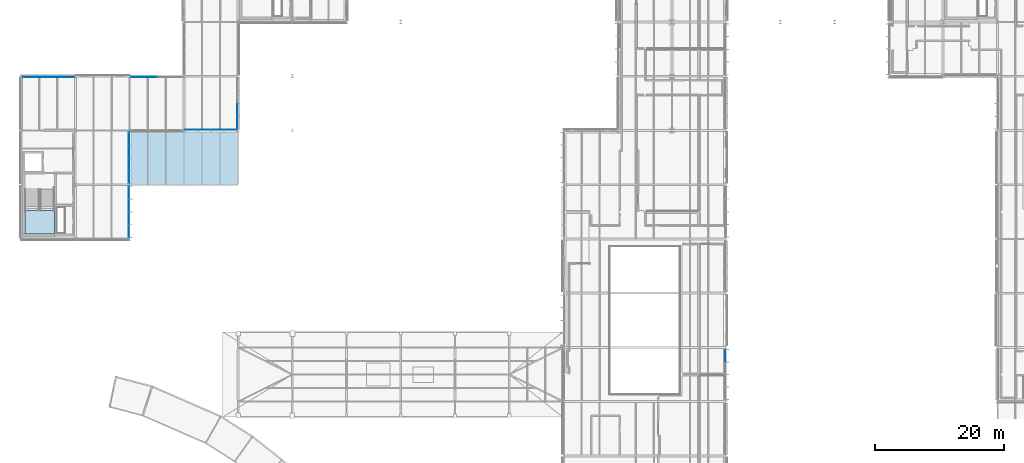
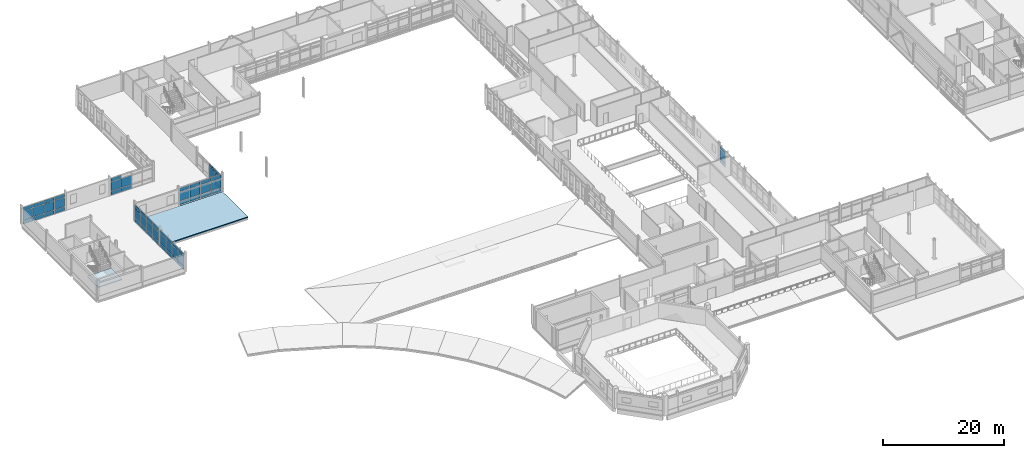
# One storey, part 110 of 151: 62 plates, 2 slabs, 8 elements without a shape of their own.
"""IFC4 building model written with IfcOpenShell, lengths in metres."""

import ifcopenshell
import ifcopenshell.guid

model = None  # the IFC model being written
_history = None  # IfcOwnerHistory: only IFC2X3 demands one
_inside = {}  # id of a spatial element -> (the spatial element, [elements in it])
_under = {}  # id of a project, library or spatial element -> (it, [spatial elements below it])
_declared = {}  # id of a project -> (the project, [libraries it declares])
_typed = {}  # id of a type object -> (the type object, [elements of that type])
_made_of = {}  # id of a material, layer set ... -> (it, [elements and type objects made of it])


def new_model(schema):
    """Start an empty IFC model of exactly this schema.

    Asked for "IFC4X3", IfcOpenShell would pick the latest addendum, in which some entities
    have other attributes; the version numbers below select the first issue.
    IFC2X3 requires an IfcOwnerHistory on every rooted entity: one is made here for all.
    """
    global model, _history
    if schema == "IFC4X3":
        model = ifcopenshell.file(schema_version=(4, 3, 0, 0))
    else:
        model = ifcopenshell.file(schema=schema)
    _inside.clear()
    _under.clear()
    _declared.clear()
    _typed.clear()
    _made_of.clear()
    _history = None
    if model.schema == "IFC2X3":
        org = make("IfcOrganization", Name="unknown")
        user = make(
            "IfcPersonAndOrganization",
            ThePerson=make("IfcPerson", FamilyName="unknown"),
            TheOrganization=org,
        )
        app = make(
            "IfcApplication",
            ApplicationDeveloper=org,
            Version="unknown",
            ApplicationFullName="unknown",
            ApplicationIdentifier="unknown",
        )
        _history = make(
            "IfcOwnerHistory",
            OwningUser=user,
            OwningApplication=app,
            ChangeAction="ADDED",
            CreationDate=0,
        )
    return model


def make(cls, **values):
    """One entity of the class cls with the attributes given. An attribute that is None is left unset."""
    return model.create_entity(
        cls, **{name: value for name, value in values.items() if value is not None}
    )


def rooted(cls, **values):
    """An entity with a GlobalId (a new one), such as an element, a storey or a relation."""
    return make(cls, GlobalId=ifcopenshell.guid.new(), OwnerHistory=_history, **values)


def si_unit(unit_type, name, prefix=None):
    """IfcSIUnit, for example si_unit("LENGTHUNIT", "METRE", prefix="MILLI")."""
    return make("IfcSIUnit", UnitType=unit_type, Prefix=prefix, Name=name)


def assignment(units):
    """IfcUnitAssignment: the units of a project."""
    return None if units is None else make("IfcUnitAssignment", Units=units)


def point(xyz):
    """IfcCartesianPoint."""
    return None if xyz is None else make("IfcCartesianPoint", Coordinates=xyz)


def direction(xyz):
    """IfcDirection."""
    return None if xyz is None else make("IfcDirection", DirectionRatios=xyz)


def frame(location, z_axis=None, x_axis=None):
    """IfcAxis2Placement3D, a coordinate frame: its origin and axes. An axis left out is left unset."""
    return make(
        "IfcAxis2Placement3D",
        Location=point(location),
        Axis=direction(z_axis),
        RefDirection=direction(x_axis),
    )


def frame_2d(location, x_axis=None):
    """IfcAxis2Placement2D, a coordinate frame in the plane: its origin and x axis."""
    return make(
        "IfcAxis2Placement2D", Location=point(location), RefDirection=direction(x_axis)
    )


def origin():
    """The frame at (0, 0, 0) with its axes left unset."""
    return frame((0.0, 0.0, 0.0))


def origin_2d():
    """The frame at (0, 0) in the plane with its x axis left unset."""
    return frame_2d((0.0, 0.0))


def place(relative_to, where):
    """IfcLocalPlacement: puts the frame where relative to a parent placement (None: the world)."""
    return make(
        "IfcLocalPlacement", PlacementRelTo=relative_to, RelativePlacement=where
    )


def context(
    kind, dimensions, precision=None, world=None, true_north=None, identifier=None
):
    """IfcGeometricRepresentationContext, for example the 3D "Model" context."""
    return make(
        "IfcGeometricRepresentationContext",
        ContextIdentifier=identifier,
        ContextType=kind,
        CoordinateSpaceDimension=dimensions,
        Precision=precision,
        WorldCoordinateSystem=world,
        TrueNorth=true_north,
    )


def subcontext(parent, identifier, kind, view, scale=None):
    """IfcGeometricRepresentationSubContext, for example "Body" below "Model"."""
    return make(
        "IfcGeometricRepresentationSubContext",
        ContextIdentifier=identifier,
        ContextType=kind,
        ParentContext=parent,
        TargetScale=scale,
        TargetView=view,
    )


def project(units=None, contexts=None):
    """IfcProject with its units and contexts."""
    return rooted(
        "IfcProject",
        Name="project",
        RepresentationContexts=contexts,
        UnitsInContext=assignment(units),
    )


def spatial(cls, under=None, at=None, **own):
    """A site, building, storey or space (cls), placed at a placement, below another one or the project."""
    s = rooted(cls, ObjectPlacement=at, **own)
    if under is not None:
        _under.setdefault(under.id(), (under, []))[1].append(s)
    return s


def polyline(points):
    """IfcPolyline through the points."""
    return make("IfcPolyline", Points=[point(p) for p in points])


def profile(cls, at=None, kind="AREA", **sizes):
    """A parametric profile (cls). Its sizes go by their IFC names, for example OverallWidth=200.0."""
    return make(cls, ProfileType=kind, Position=at, **sizes)


def rectangle(**sizes):
    """IfcRectangleProfileDef."""
    return profile("IfcRectangleProfileDef", **sizes)


def outline(outer, holes=None, kind="AREA"):
    """IfcArbitraryClosedProfileDef: a profile drawn as a closed curve; with holes, ...WithVoids."""
    if holes is None:
        return make("IfcArbitraryClosedProfileDef", ProfileType=kind, OuterCurve=outer)
    return make(
        "IfcArbitraryProfileDefWithVoids",
        ProfileType=kind,
        OuterCurve=outer,
        InnerCurves=holes,
    )


def extrude(swept, where, along, depth):
    """IfcExtrudedAreaSolid: the profile swept, set in the frame where, extruded along a direction by depth."""
    return make(
        "IfcExtrudedAreaSolid",
        SweptArea=swept,
        Position=where,
        ExtrudedDirection=direction(along),
        Depth=depth,
    )


def shape(context_of_items, identifier, shape_type, items):
    """IfcShapeRepresentation: the items that make up one representation, for example the "Body"."""
    return make(
        "IfcShapeRepresentation",
        ContextOfItems=context_of_items,
        RepresentationIdentifier=identifier,
        RepresentationType=shape_type,
        Items=items,
    )


def material(Name=None, Category=None):
    """IfcMaterial."""
    return make("IfcMaterial", Name=Name, Category=Category)


def layer(
    of_material, thickness, ventilated=None, Name=None, Category=None, Priority=None
):
    """IfcMaterialLayer: one layer of a wall or slab, of a material (None: an air gap)."""
    return make(
        "IfcMaterialLayer",
        Material=of_material,
        LayerThickness=thickness,
        IsVentilated=ventilated,
        Name=Name,
        Category=Category,
        Priority=Priority,
    )


def layer_set(layers, Name=None):
    """IfcMaterialLayerSet."""
    return make("IfcMaterialLayerSet", MaterialLayers=layers, LayerSetName=Name)


def made_of(thing, what):
    """Note that an element or type object is made of a material, layer set ...; save() writes the relation."""
    if what is not None:
        _made_of.setdefault(what.id(), (what, []))[1].append(thing)
    return thing


def type_object(cls, material=None, **own):
    """A type object (cls), such as IfcWallType, which elements share."""
    return made_of(rooted(cls, **own), material)


def element(
    cls,
    number,
    at=None,
    inside=None,
    cuts=None,
    type_object=None,
    material=None,
    context=None,
    identifier="Body",
    shape_type=None,
    held_by="IfcProductDefinitionShape",
    body=None,
    shapes=None,
    **own,
):
    """One element of the class cls, such as IfcWall. Its Tag is "e" and its number.

    at: its placement. inside: the storey or other place that contains it. cuts: it is an
    opening in that element (IfcRelVoidsElement). A single representation is given by context,
    identifier, shape_type and body (its items); several are given by shapes. held_by: the class
    of the entity that holds the representations. save() writes the other relations.
    """
    e = rooted(cls, Tag="e%d" % number, ObjectPlacement=at, **own)
    if body is not None:
        shapes = [shape(context, identifier, shape_type, body)]
    if shapes is not None:
        e.Representation = make(held_by, Representations=shapes)
    if inside is not None:
        _inside.setdefault(inside.id(), (inside, []))[1].append(e)
    if cuts is not None:
        rooted(
            "IfcRelVoidsElement", RelatingBuildingElement=cuts, RelatedOpeningElement=e
        )
    if type_object is not None:
        _typed.setdefault(type_object.id(), (type_object, []))[1].append(e)
    return made_of(e, material)


def aggregate(whole, parts):
    """IfcRelAggregates: a whole, such as a stair, and the parts it consists of."""
    return rooted("IfcRelAggregates", RelatingObject=whole, RelatedObjects=parts)


def save(model, path):
    """Write the relations noted so far, then the file.

    IfcRelAggregates (storeys below a building ...), IfcRelContainedInSpatialStructure (elements
    in a storey), IfcRelDefinesByType, IfcRelAssociatesMaterial and IfcRelDeclares: one each for
    every whole, place, type object, material and project.
    """
    for whole, parts in _under.values():
        aggregate(whole, parts)
    for where, things in _inside.values():
        rooted(
            "IfcRelContainedInSpatialStructure",
            RelatedElements=things,
            RelatingStructure=where,
        )
    for kind, things in _typed.values():
        rooted("IfcRelDefinesByType", RelatedObjects=things, RelatingType=kind)
    for what, things in _made_of.values():
        rooted("IfcRelAssociatesMaterial", RelatedObjects=things, RelatingMaterial=what)
    for by, libraries in _declared.values():
        rooted("IfcRelDeclares", RelatingContext=by, RelatedDefinitions=libraries)
    model.write(path)


model = new_model("IFC4")

# Units and contexts
model_context = context("Model", 3, precision=1e-05, world=origin(), true_north=direction((0.0, 1.0)))
body_context = subcontext(model_context, "Body", "Model", "MODEL_VIEW")
ifc_project = project(units=[si_unit("LENGTHUNIT", "METRE"), si_unit("AREAUNIT", "SQUARE_METRE"), si_unit("VOLUMEUNIT", "CUBIC_METRE"), si_unit("PLANEANGLEUNIT", "RADIAN"), si_unit("MASSUNIT", "GRAM", prefix="KILO")], contexts=[model_context])

# Site, building, storey
site_placement = place(None, origin())
site = spatial("IfcSite", under=ifc_project, at=site_placement, CompositionType="ELEMENT")
building_placement = place(site_placement, origin())
building = spatial("IfcBuilding", under=site, at=building_placement, Name="Mersafa Astral City Hall", CompositionType="ELEMENT")
storey_placement = place(building_placement, frame((0.0, 0.0, 9.89990234375)))
storey = spatial("IfcBuildingStorey", under=building, at=storey_placement, Name="L02", CompositionType="ELEMENT", Elevation=9.89990234375)

# Curtain wall, plates
ifc_material_1 = material(Name="Anodised bronze aluminium framing", Category="aluminium")
curtain_wall_type_1 = type_object("IfcCurtainWallType", Name="ENV-CW-5", PredefinedType="USERDEFINED", material=ifc_material_1)
curtain_wall_1_placement = place(storey_placement, origin())
curtain_wall_1 = element("IfcCurtainWall", 1, at=curtain_wall_1_placement, inside=storey, type_object=curtain_wall_type_1, Name="L02 Unitised solar curtain wall 112", ObjectType="UNITISED CURTAIN WALL", PredefinedType="USERDEFINED")
ifc_material_2 = material(Name="Solar control low-e double glazing", Category="glass")
ifc_layer_1 = layer(ifc_material_2, 0.028076171875, Name="Solar control low-e double glazing")
ifc_layer_set_1 = layer_set([ifc_layer_1], Name="Solar control low-e double glazing — ENV-CW-PNL-GLZ-1")
plate_type_1 = type_object("IfcPlateType", Name="ENV-CW-PNL-GLZ-1", PredefinedType="CURTAIN_PANEL", material=ifc_layer_set_1)
plate_1_placement = place(storey_placement, frame((117.47998046875, 57.519775390625, 0.05810546875), z_axis=(0.0, 0.0, 1.0), x_axis=(0.0, 1.0, 0.0)))
plate_1 = element("IfcPlate", 2, at=plate_1_placement, type_object=plate_type_1, Name="CW-5 panel 4.1", PredefinedType="CURTAIN_PANEL", context=body_context, shape_type="SweptSolid", body=[
    extrude(rectangle(XDim=1.866455078125, YDim=0.028076171875, at=origin_2d()), origin(), (0.0, 0.0, 1.0), 0.761962890625),
])
plate_2_placement = place(storey_placement, frame((117.47998046875, 57.519775390625, 0.8798828125), z_axis=(0.0, 0.0, 1.0), x_axis=(0.0, 1.0, 0.0)))
plate_2 = element("IfcPlate", 3, at=plate_2_placement, type_object=plate_type_1, Name="CW-5 panel 4.2", PredefinedType="CURTAIN_PANEL", context=body_context, shape_type="SweptSolid", body=[
    extrude(rectangle(XDim=1.866455078125, YDim=0.028076171875, at=origin_2d()), origin(), (0.0, 0.0, 1.0), 1.840087890625),
])
plate_3_placement = place(storey_placement, frame((117.47998046875, 57.519775390625, 2.780029296875), z_axis=(0.0, 0.0, 1.0), x_axis=(0.0, 1.0, 0.0)))
plate_3 = element("IfcPlate", 4, at=plate_3_placement, type_object=plate_type_1, Name="CW-5 panel 4.3", PredefinedType="CURTAIN_PANEL", context=body_context, shape_type="SweptSolid", body=[
    extrude(rectangle(XDim=1.866455078125, YDim=0.028076171875, at=origin_2d()), origin(), (0.0, 0.0, 1.0), 0.64697265625),
])
aggregate(curtain_wall_1, [plate_1, plate_2, plate_3])

curtain_wall_type_2 = type_object("IfcCurtainWallType", Name="ENV-CW-1", PredefinedType="USERDEFINED", material=ifc_material_1)
curtain_wall_2_placement = place(storey_placement, origin())
curtain_wall_2 = element("IfcCurtainWall", 5, at=curtain_wall_2_placement, inside=storey, type_object=curtain_wall_type_2, Name="L02 Unitised solar curtain wall 132", ObjectType="UNITISED CURTAIN WALL", PredefinedType="USERDEFINED")
plate_4_placement = place(storey_placement, frame((28.390380859375, 100.679931640625, 0.05810546875), z_axis=(0.0, 0.0, 1.0), x_axis=(-1.0, 0.0, 0.0)))
plate_4 = element("IfcPlate", 6, at=plate_4_placement, type_object=plate_type_1, Name="CW-1 panel 3.1", PredefinedType="CURTAIN_PANEL", context=body_context, shape_type="SweptSolid", body=[
    extrude(rectangle(XDim=1.958984375, YDim=0.028076171875, at=origin_2d()), origin(), (0.0, 0.0, 1.0), 0.761962890625),
])
plate_5_placement = place(storey_placement, frame((28.390380859375, 100.679931640625, 0.8798828125), z_axis=(0.0, 0.0, 1.0), x_axis=(-1.0, 0.0, 0.0)))
plate_5 = element("IfcPlate", 7, at=plate_5_placement, type_object=plate_type_1, Name="CW-1 panel 3.2", PredefinedType="CURTAIN_PANEL", context=body_context, shape_type="SweptSolid", body=[
    extrude(rectangle(XDim=1.958984375, YDim=0.028076171875, at=origin_2d()), origin(), (0.0, 0.0, 1.0), 1.840087890625),
])
plate_6_placement = place(storey_placement, frame((26.386474609375, 100.679931640625, 0.05810546875), z_axis=(0.0, 0.0, 1.0), x_axis=(-1.0, 0.0, 0.0)))
plate_6 = element("IfcPlate", 8, at=plate_6_placement, type_object=plate_type_1, Name="CW-1 panel 4.1", PredefinedType="CURTAIN_PANEL", context=body_context, shape_type="SweptSolid", body=[
    extrude(rectangle(XDim=1.928955078125, YDim=0.028076171875, at=origin_2d()), origin(), (0.0, 0.0, 1.0), 0.761962890625),
])
plate_7_placement = place(storey_placement, frame((26.386474609375, 100.679931640625, 0.8798828125), z_axis=(0.0, 0.0, 1.0), x_axis=(-1.0, 0.0, 0.0)))
plate_7 = element("IfcPlate", 9, at=plate_7_placement, type_object=plate_type_1, Name="CW-1 panel 4.2", PredefinedType="CURTAIN_PANEL", context=body_context, shape_type="SweptSolid", body=[
    extrude(rectangle(XDim=1.928955078125, YDim=0.028076171875, at=origin_2d()), origin(), (0.0, 0.0, 1.0), 1.840087890625),
])
plate_8_placement = place(storey_placement, frame((26.386474609375, 100.679931640625, 2.7802734375), z_axis=(0.0, 0.0, 1.0), x_axis=(-1.0, 0.0, 0.0)))
plate_8 = element("IfcPlate", 10, at=plate_8_placement, type_object=plate_type_1, Name="CW-1 panel 4.3", PredefinedType="CURTAIN_PANEL", context=body_context, shape_type="SweptSolid", body=[
    extrude(rectangle(XDim=1.928955078125, YDim=0.028076171875, at=origin_2d()), origin(), (0.0, 0.0, 1.0), 0.677001953125),
])
aggregate(curtain_wall_2, [plate_4, plate_5, plate_6, plate_7, plate_8])

curtain_wall_3_placement = place(storey_placement, origin())
curtain_wall_3 = element("IfcCurtainWall", 11, at=curtain_wall_3_placement, inside=storey, type_object=curtain_wall_type_1, Name="L02 Unitised solar curtain wall 136", ObjectType="UNITISED CURTAIN WALL", PredefinedType="USERDEFINED")
plate_9_placement = place(storey_placement, frame((34.78662109375, 92.52001953125, 0.05810546875), z_axis=(0.0, 0.0, 1.0), x_axis=(1.0, 0.0, 0.0)))
plate_9 = element("IfcPlate", 12, at=plate_9_placement, type_object=plate_type_1, Name="CW-5 panel 1.1", PredefinedType="CURTAIN_PANEL", context=body_context, shape_type="SweptSolid", body=[
    extrude(rectangle(XDim=1.928955078125, YDim=0.028076171875, at=origin_2d()), origin(), (0.0, 0.0, 1.0), 0.761962890625),
])
plate_10_placement = place(storey_placement, frame((34.78662109375, 92.52001953125, 0.8798828125), z_axis=(0.0, 0.0, 1.0), x_axis=(1.0, 0.0, 0.0)))
plate_10 = element("IfcPlate", 13, at=plate_10_placement, type_object=plate_type_1, Name="CW-5 panel 1.2", PredefinedType="CURTAIN_PANEL", context=body_context, shape_type="SweptSolid", body=[
    extrude(rectangle(XDim=1.928955078125, YDim=0.028076171875, at=origin_2d()), origin(), (0.0, 0.0, 1.0), 1.840087890625),
])
plate_11_placement = place(storey_placement, frame((34.78662109375, 92.52001953125, 2.7802734375), z_axis=(0.0, 0.0, 1.0), x_axis=(1.0, 0.0, 0.0)))
plate_11 = element("IfcPlate", 14, at=plate_11_placement, type_object=plate_type_1, Name="CW-5 panel 1.3", PredefinedType="CURTAIN_PANEL", context=body_context, shape_type="SweptSolid", body=[
    extrude(rectangle(XDim=1.928955078125, YDim=0.028076171875, at=origin_2d()), origin(), (0.0, 0.0, 1.0), 0.677001953125),
])
plate_12_placement = place(storey_placement, frame((36.79052734375, 92.52001953125, 0.05810546875), z_axis=(0.0, 0.0, 1.0), x_axis=(1.0, 0.0, 0.0)))
plate_12 = element("IfcPlate", 15, at=plate_12_placement, type_object=plate_type_1, Name="CW-5 panel 2.1", PredefinedType="CURTAIN_PANEL", context=body_context, shape_type="SweptSolid", body=[
    extrude(rectangle(XDim=1.958984375, YDim=0.028076171875, at=origin_2d()), origin(), (0.0, 0.0, 1.0), 0.761962890625),
])
plate_13_placement = place(storey_placement, frame((36.79052734375, 92.52001953125, 0.8798828125), z_axis=(0.0, 0.0, 1.0), x_axis=(1.0, 0.0, 0.0)))
plate_13 = element("IfcPlate", 16, at=plate_13_placement, type_object=plate_type_1, Name="CW-5 panel 2.2", PredefinedType="CURTAIN_PANEL", context=body_context, shape_type="SweptSolid", body=[
    extrude(rectangle(XDim=1.958984375, YDim=0.028076171875, at=origin_2d()), origin(), (0.0, 0.0, 1.0), 1.840087890625),
])
plate_14_placement = place(storey_placement, frame((36.79052734375, 92.52001953125, 2.7802734375), z_axis=(0.0, 0.0, 1.0), x_axis=(1.0, 0.0, 0.0)))
plate_14 = element("IfcPlate", 17, at=plate_14_placement, type_object=plate_type_1, Name="CW-5 panel 2.3", PredefinedType="CURTAIN_PANEL", context=body_context, shape_type="SweptSolid", body=[
    extrude(rectangle(XDim=1.958984375, YDim=0.028076171875, at=origin_2d()), origin(), (0.0, 0.0, 1.0), 0.677001953125),
])
plate_15_placement = place(storey_placement, frame((38.8095703125, 92.52001953125, 0.05810546875), z_axis=(0.0, 0.0, 1.0), x_axis=(1.0, 0.0, 0.0)))
plate_15 = element("IfcPlate", 18, at=plate_15_placement, type_object=plate_type_1, Name="CW-5 panel 3.1", PredefinedType="CURTAIN_PANEL", context=body_context, shape_type="SweptSolid", body=[
    extrude(rectangle(XDim=1.958984375, YDim=0.028076171875, at=origin_2d()), origin(), (0.0, 0.0, 1.0), 0.761962890625),
])
plate_16_placement = place(storey_placement, frame((38.8095703125, 92.52001953125, 0.8798828125), z_axis=(0.0, 0.0, 1.0), x_axis=(1.0, 0.0, 0.0)))
plate_16 = element("IfcPlate", 19, at=plate_16_placement, type_object=plate_type_1, Name="CW-5 panel 3.2", PredefinedType="CURTAIN_PANEL", context=body_context, shape_type="SweptSolid", body=[
    extrude(rectangle(XDim=1.958984375, YDim=0.028076171875, at=origin_2d()), origin(), (0.0, 0.0, 1.0), 1.840087890625),
])
plate_17_placement = place(storey_placement, frame((38.8095703125, 92.52001953125, 2.7802734375), z_axis=(0.0, 0.0, 1.0), x_axis=(1.0, 0.0, 0.0)))
plate_17 = element("IfcPlate", 20, at=plate_17_placement, type_object=plate_type_1, Name="CW-5 panel 3.3", PredefinedType="CURTAIN_PANEL", context=body_context, shape_type="SweptSolid", body=[
    extrude(rectangle(XDim=1.958984375, YDim=0.028076171875, at=origin_2d()), origin(), (0.0, 0.0, 1.0), 0.677001953125),
])
plate_18_placement = place(storey_placement, frame((40.8134765625, 92.52001953125, 0.05810546875), z_axis=(0.0, 0.0, 1.0), x_axis=(1.0, 0.0, 0.0)))
plate_18 = element("IfcPlate", 21, at=plate_18_placement, type_object=plate_type_1, Name="CW-5 panel 4.1", PredefinedType="CURTAIN_PANEL", context=body_context, shape_type="SweptSolid", body=[
    extrude(rectangle(XDim=1.928955078125, YDim=0.028076171875, at=origin_2d()), origin(), (0.0, 0.0, 1.0), 0.761962890625),
])
plate_19_placement = place(storey_placement, frame((40.8134765625, 92.52001953125, 0.8798828125), z_axis=(0.0, 0.0, 1.0), x_axis=(1.0, 0.0, 0.0)))
plate_19 = element("IfcPlate", 22, at=plate_19_placement, type_object=plate_type_1, Name="CW-5 panel 4.2", PredefinedType="CURTAIN_PANEL", context=body_context, shape_type="SweptSolid", body=[
    extrude(rectangle(XDim=1.928955078125, YDim=0.028076171875, at=origin_2d()), origin(), (0.0, 0.0, 1.0), 1.840087890625),
])
plate_20_placement = place(storey_placement, frame((40.8134765625, 92.52001953125, 2.7802734375), z_axis=(0.0, 0.0, 1.0), x_axis=(1.0, 0.0, 0.0)))
plate_20 = element("IfcPlate", 23, at=plate_20_placement, type_object=plate_type_1, Name="CW-5 panel 4.3", PredefinedType="CURTAIN_PANEL", context=body_context, shape_type="SweptSolid", body=[
    extrude(rectangle(XDim=1.928955078125, YDim=0.028076171875, at=origin_2d()), origin(), (0.0, 0.0, 1.0), 0.677001953125),
])
aggregate(curtain_wall_3, [plate_9, plate_10, plate_11, plate_12, plate_13, plate_14, plate_15, plate_16, plate_17, plate_18, plate_19, plate_20])

curtain_wall_type_3 = type_object("IfcCurtainWallType", Name="ENV-CW-2", PredefinedType="USERDEFINED", material=ifc_material_1)
curtain_wall_4_placement = place(storey_placement, origin())
curtain_wall_4 = element("IfcCurtainWall", 24, at=curtain_wall_4_placement, inside=storey, type_object=curtain_wall_type_3, Name="L02 Unitised solar curtain wall 133", ObjectType="UNITISED CURTAIN WALL", PredefinedType="USERDEFINED")
ifc_layer_2 = layer(ifc_material_2, 0.031982421875, Name="Solar control low-e double glazing")
ifc_layer_set_2 = layer_set([ifc_layer_2], Name="Solar control low-e double glazing — ENV-CW-PNL-GLZ-2")
plate_type_2 = type_object("IfcPlateType", Name="ENV-CW-PNL-GLZ-2", PredefinedType="CURTAIN_PANEL", material=ifc_layer_set_2)
plate_21_placement = place(storey_placement, frame((15.613525390625, 100.679931640625, 0.05810546875), z_axis=(0.0, 0.0, 1.0), x_axis=(-1.0, 0.0, 0.0)))
plate_21 = element("IfcPlate", 25, at=plate_21_placement, type_object=plate_type_2, Name="CW-2 panel 1.1", PredefinedType="CURTAIN_PANEL", context=body_context, shape_type="SweptSolid", body=[
    extrude(rectangle(XDim=1.928955078125, YDim=0.031982421875, at=origin_2d()), origin(), (0.0, 0.0, 1.0), 0.761962890625),
])
plate_22_placement = place(storey_placement, frame((15.613525390625, 100.679931640625, 0.8798828125), z_axis=(0.0, 0.0, 1.0), x_axis=(-1.0, 0.0, 0.0)))
plate_22 = element("IfcPlate", 26, at=plate_22_placement, type_object=plate_type_2, Name="CW-2 panel 1.2", PredefinedType="CURTAIN_PANEL", context=body_context, shape_type="SweptSolid", body=[
    extrude(rectangle(XDim=1.928955078125, YDim=0.031982421875, at=origin_2d()), origin(), (0.0, 0.0, 1.0), 1.840087890625),
])
plate_23_placement = place(storey_placement, frame((15.613525390625, 100.679931640625, 2.7802734375), z_axis=(0.0, 0.0, 1.0), x_axis=(-1.0, 0.0, 0.0)))
plate_23 = element("IfcPlate", 27, at=plate_23_placement, type_object=plate_type_2, Name="CW-2 panel 1.3", PredefinedType="CURTAIN_PANEL", context=body_context, shape_type="SweptSolid", body=[
    extrude(rectangle(XDim=1.928955078125, YDim=0.031982421875, at=origin_2d()), origin(), (0.0, 0.0, 1.0), 0.677001953125),
])
plate_24_placement = place(storey_placement, frame((13.609619140625, 100.679931640625, 0.05810546875), z_axis=(0.0, 0.0, 1.0), x_axis=(-1.0, 0.0, 0.0)))
plate_24 = element("IfcPlate", 28, at=plate_24_placement, type_object=plate_type_2, Name="CW-2 panel 2.1", PredefinedType="CURTAIN_PANEL", context=body_context, shape_type="SweptSolid", body=[
    extrude(rectangle(XDim=1.958984375, YDim=0.031982421875, at=origin_2d()), origin(), (0.0, 0.0, 1.0), 0.761962890625),
])
plate_25_placement = place(storey_placement, frame((13.609619140625, 100.679931640625, 0.8798828125), z_axis=(0.0, 0.0, 1.0), x_axis=(-1.0, 0.0, 0.0)))
plate_25 = element("IfcPlate", 29, at=plate_25_placement, type_object=plate_type_2, Name="CW-2 panel 2.2", PredefinedType="CURTAIN_PANEL", context=body_context, shape_type="SweptSolid", body=[
    extrude(rectangle(XDim=1.958984375, YDim=0.031982421875, at=origin_2d()), origin(), (0.0, 0.0, 1.0), 1.840087890625),
])
plate_26_placement = place(storey_placement, frame((13.609619140625, 100.679931640625, 2.7802734375), z_axis=(0.0, 0.0, 1.0), x_axis=(-1.0, 0.0, 0.0)))
plate_26 = element("IfcPlate", 30, at=plate_26_placement, type_object=plate_type_2, Name="CW-2 panel 2.3", PredefinedType="CURTAIN_PANEL", context=body_context, shape_type="SweptSolid", body=[
    extrude(rectangle(XDim=1.958984375, YDim=0.031982421875, at=origin_2d()), origin(), (0.0, 0.0, 1.0), 0.677001953125),
])
plate_27_placement = place(storey_placement, frame((11.590576171875, 100.679931640625, 0.05810546875), z_axis=(0.0, 0.0, 1.0), x_axis=(-1.0, 0.0, 0.0)))
plate_27 = element("IfcPlate", 31, at=plate_27_placement, type_object=plate_type_2, Name="CW-2 panel 3.1", PredefinedType="CURTAIN_PANEL", context=body_context, shape_type="SweptSolid", body=[
    extrude(rectangle(XDim=1.958984375, YDim=0.031982421875, at=origin_2d()), origin(), (0.0, 0.0, 1.0), 0.761962890625),
])
plate_28_placement = place(storey_placement, frame((11.590576171875, 100.679931640625, 0.8798828125), z_axis=(0.0, 0.0, 1.0), x_axis=(-1.0, 0.0, 0.0)))
plate_28 = element("IfcPlate", 32, at=plate_28_placement, type_object=plate_type_2, Name="CW-2 panel 3.2", PredefinedType="CURTAIN_PANEL", context=body_context, shape_type="SweptSolid", body=[
    extrude(rectangle(XDim=1.958984375, YDim=0.031982421875, at=origin_2d()), origin(), (0.0, 0.0, 1.0), 1.840087890625),
])
plate_29_placement = place(storey_placement, frame((11.590576171875, 100.679931640625, 2.7802734375), z_axis=(0.0, 0.0, 1.0), x_axis=(-1.0, 0.0, 0.0)))
plate_29 = element("IfcPlate", 33, at=plate_29_placement, type_object=plate_type_2, Name="CW-2 panel 3.3", PredefinedType="CURTAIN_PANEL", context=body_context, shape_type="SweptSolid", body=[
    extrude(rectangle(XDim=1.958984375, YDim=0.031982421875, at=origin_2d()), origin(), (0.0, 0.0, 1.0), 0.677001953125),
])
plate_30_placement = place(storey_placement, frame((9.58642578125, 100.679931640625, 0.05810546875), z_axis=(0.0, 0.0, 1.0), x_axis=(-1.0, 0.0, 0.0)))
plate_30 = element("IfcPlate", 34, at=plate_30_placement, type_object=plate_type_2, Name="CW-2 panel 4.1", PredefinedType="CURTAIN_PANEL", context=body_context, shape_type="SweptSolid", body=[
    extrude(rectangle(XDim=1.928955078125, YDim=0.031982421875, at=origin_2d()), origin(), (0.0, 0.0, 1.0), 0.761962890625),
])
plate_31_placement = place(storey_placement, frame((9.58642578125, 100.679931640625, 0.8798828125), z_axis=(0.0, 0.0, 1.0), x_axis=(-1.0, 0.0, 0.0)))
plate_31 = element("IfcPlate", 35, at=plate_31_placement, type_object=plate_type_2, Name="CW-2 panel 4.2", PredefinedType="CURTAIN_PANEL", context=body_context, shape_type="SweptSolid", body=[
    extrude(rectangle(XDim=1.928955078125, YDim=0.031982421875, at=origin_2d()), origin(), (0.0, 0.0, 1.0), 1.840087890625),
])
plate_32_placement = place(storey_placement, frame((9.58642578125, 100.679931640625, 2.7802734375), z_axis=(0.0, 0.0, 1.0), x_axis=(-1.0, 0.0, 0.0)))
plate_32 = element("IfcPlate", 36, at=plate_32_placement, type_object=plate_type_2, Name="CW-2 panel 4.3", PredefinedType="CURTAIN_PANEL", context=body_context, shape_type="SweptSolid", body=[
    extrude(rectangle(XDim=1.928955078125, YDim=0.031982421875, at=origin_2d()), origin(), (0.0, 0.0, 1.0), 0.677001953125),
])
aggregate(curtain_wall_4, [plate_21, plate_22, plate_23, plate_24, plate_25, plate_26, plate_27, plate_28, plate_29, plate_30, plate_31, plate_32])

curtain_wall_type_4 = type_object("IfcCurtainWallType", Name="ENV-CW-6", PredefinedType="USERDEFINED", material=ifc_material_1)
curtain_wall_5_placement = place(storey_placement, origin())
curtain_wall_5 = element("IfcCurtainWall", 37, at=curtain_wall_5_placement, inside=storey, type_object=curtain_wall_type_4, Name="L02 Unitised solar curtain wall 137", ObjectType="UNITISED CURTAIN WALL", PredefinedType="USERDEFINED")
plate_33_placement = place(storey_placement, frame((41.8798828125, 93.6240234375, 0.05810546875), z_axis=(0.0, 0.0, 1.0), x_axis=(0.0, 1.0, 0.0)))
plate_33 = element("IfcPlate", 38, at=plate_33_placement, type_object=plate_type_2, Name="CW-6 panel 1.1", PredefinedType="CURTAIN_PANEL", context=body_context, shape_type="SweptSolid", body=[
    extrude(rectangle(XDim=1.904052734375, YDim=0.031982421875, at=origin_2d()), origin(), (0.0, 0.0, 1.0), 0.761962890625),
])
plate_34_placement = place(storey_placement, frame((41.8798828125, 93.6240234375, 0.8798828125), z_axis=(0.0, 0.0, 1.0), x_axis=(0.0, 1.0, 0.0)))
plate_34 = element("IfcPlate", 39, at=plate_34_placement, type_object=plate_type_2, Name="CW-6 panel 1.2", PredefinedType="CURTAIN_PANEL", context=body_context, shape_type="SweptSolid", body=[
    extrude(rectangle(XDim=1.904052734375, YDim=0.031982421875, at=origin_2d()), origin(), (0.0, 0.0, 1.0), 1.840087890625),
])
plate_35_placement = place(storey_placement, frame((41.8798828125, 93.6240234375, 2.7802734375), z_axis=(0.0, 0.0, 1.0), x_axis=(0.0, 1.0, 0.0)))
plate_35 = element("IfcPlate", 40, at=plate_35_placement, type_object=plate_type_2, Name="CW-6 panel 1.3", PredefinedType="CURTAIN_PANEL", context=body_context, shape_type="SweptSolid", body=[
    extrude(rectangle(XDim=1.904052734375, YDim=0.031982421875, at=origin_2d()), origin(), (0.0, 0.0, 1.0), 0.406982421875),
])
plate_36_placement = place(storey_placement, frame((41.8798828125, 95.60302734375, 0.05810546875), z_axis=(0.0, 0.0, 1.0), x_axis=(0.0, 1.0, 0.0)))
plate_36 = element("IfcPlate", 41, at=plate_36_placement, type_object=plate_type_2, Name="CW-6 panel 2.1", PredefinedType="CURTAIN_PANEL", context=body_context, shape_type="SweptSolid", body=[
    extrude(rectangle(XDim=1.93408203125, YDim=0.031982421875, at=origin_2d()), origin(), (0.0, 0.0, 1.0), 0.761962890625),
])
plate_37_placement = place(storey_placement, frame((41.8798828125, 95.60302734375, 0.8798828125), z_axis=(0.0, 0.0, 1.0), x_axis=(0.0, 1.0, 0.0)))
plate_37 = element("IfcPlate", 42, at=plate_37_placement, type_object=plate_type_2, Name="CW-6 panel 2.2", PredefinedType="CURTAIN_PANEL", context=body_context, shape_type="SweptSolid", body=[
    extrude(rectangle(XDim=1.93408203125, YDim=0.031982421875, at=origin_2d()), origin(), (0.0, 0.0, 1.0), 1.840087890625),
])
plate_38_placement = place(storey_placement, frame((41.8798828125, 95.60302734375, 2.7802734375), z_axis=(0.0, 0.0, 1.0), x_axis=(0.0, 1.0, 0.0)))
plate_38 = element("IfcPlate", 43, at=plate_38_placement, type_object=plate_type_2, Name="CW-6 panel 2.3", PredefinedType="CURTAIN_PANEL", context=body_context, shape_type="SweptSolid", body=[
    extrude(rectangle(XDim=1.93408203125, YDim=0.031982421875, at=origin_2d()), origin(), (0.0, 0.0, 1.0), 0.406982421875),
])
aggregate(curtain_wall_5, [plate_33, plate_34, plate_35, plate_36, plate_37, plate_38])

curtain_wall_type_5 = type_object("IfcCurtainWallType", Name="ENV-CW-3", PredefinedType="USERDEFINED", material=ifc_material_1)
curtain_wall_6_placement = place(storey_placement, origin())
curtain_wall_6 = element("IfcCurtainWall", 44, at=curtain_wall_6_placement, inside=storey, type_object=curtain_wall_type_5, Name="L02 Unitised solar curtain wall 134", ObjectType="UNITISED CURTAIN WALL", PredefinedType="USERDEFINED")
ifc_layer_3 = layer(ifc_material_2, 0.035888671875, Name="Solar control low-e double glazing")
ifc_layer_set_3 = layer_set([ifc_layer_3], Name="Solar control low-e double glazing — ENV-CW-PNL-GLZ-3")
plate_type_3 = type_object("IfcPlateType", Name="ENV-CW-PNL-GLZ-3", PredefinedType="CURTAIN_PANEL", material=ifc_layer_set_3)
plate_39_placement = place(storey_placement, frame((25.080078125, 76.823974609375, 0.05810546875), z_axis=(0.0, 0.0, 1.0), x_axis=(0.0, 1.0, 0.0)))
plate_39 = element("IfcPlate", 45, at=plate_39_placement, type_object=plate_type_3, Name="CW-3 panel 1.1", PredefinedType="CURTAIN_PANEL", context=body_context, shape_type="SweptSolid", body=[
    extrude(rectangle(XDim=1.904052734375, YDim=0.035888671875, at=origin_2d()), origin(), (0.0, 0.0, 1.0), 0.761962890625),
])
plate_40_placement = place(storey_placement, frame((25.080078125, 76.823974609375, 0.8798828125), z_axis=(0.0, 0.0, 1.0), x_axis=(0.0, 1.0, 0.0)))
plate_40 = element("IfcPlate", 46, at=plate_40_placement, type_object=plate_type_3, Name="CW-3 panel 1.2", PredefinedType="CURTAIN_PANEL", context=body_context, shape_type="SweptSolid", body=[
    extrude(rectangle(XDim=1.904052734375, YDim=0.035888671875, at=origin_2d()), origin(), (0.0, 0.0, 1.0), 1.840087890625),
])
plate_41_placement = place(storey_placement, frame((25.080078125, 76.823974609375, 2.780029296875), z_axis=(0.0, 0.0, 1.0), x_axis=(0.0, 1.0, 0.0)))
plate_41 = element("IfcPlate", 47, at=plate_41_placement, type_object=plate_type_3, Name="CW-3 panel 1.3", PredefinedType="CURTAIN_PANEL", context=body_context, shape_type="SweptSolid", body=[
    extrude(rectangle(XDim=1.904052734375, YDim=0.035888671875, at=origin_2d()), origin(), (0.0, 0.0, 1.0), 0.64697265625),
])
plate_42_placement = place(storey_placement, frame((25.080078125, 78.802978515625, 0.05810546875), z_axis=(0.0, 0.0, 1.0), x_axis=(0.0, 1.0, 0.0)))
plate_42 = element("IfcPlate", 48, at=plate_42_placement, type_object=plate_type_3, Name="CW-3 panel 2.1", PredefinedType="CURTAIN_PANEL", context=body_context, shape_type="SweptSolid", body=[
    extrude(rectangle(XDim=1.93408203125, YDim=0.035888671875, at=origin_2d()), origin(), (0.0, 0.0, 1.0), 0.761962890625),
])
plate_43_placement = place(storey_placement, frame((25.080078125, 78.802978515625, 0.8798828125), z_axis=(0.0, 0.0, 1.0), x_axis=(0.0, 1.0, 0.0)))
plate_43 = element("IfcPlate", 49, at=plate_43_placement, type_object=plate_type_3, Name="CW-3 panel 2.2", PredefinedType="CURTAIN_PANEL", context=body_context, shape_type="SweptSolid", body=[
    extrude(rectangle(XDim=1.93408203125, YDim=0.035888671875, at=origin_2d()), origin(), (0.0, 0.0, 1.0), 1.840087890625),
])
plate_44_placement = place(storey_placement, frame((25.080078125, 78.802978515625, 2.780029296875), z_axis=(0.0, 0.0, 1.0), x_axis=(0.0, 1.0, 0.0)))
plate_44 = element("IfcPlate", 50, at=plate_44_placement, type_object=plate_type_3, Name="CW-3 panel 2.3", PredefinedType="CURTAIN_PANEL", context=body_context, shape_type="SweptSolid", body=[
    extrude(rectangle(XDim=1.93408203125, YDim=0.035888671875, at=origin_2d()), origin(), (0.0, 0.0, 1.0), 0.64697265625),
])
plate_45_placement = place(storey_placement, frame((25.080078125, 80.797119140625, 0.05810546875), z_axis=(0.0, 0.0, 1.0), x_axis=(0.0, 1.0, 0.0)))
plate_45 = element("IfcPlate", 51, at=plate_45_placement, type_object=plate_type_3, Name="CW-3 panel 3.1", PredefinedType="CURTAIN_PANEL", context=body_context, shape_type="SweptSolid", body=[
    extrude(rectangle(XDim=1.93408203125, YDim=0.035888671875, at=origin_2d()), origin(), (0.0, 0.0, 1.0), 0.761962890625),
])
plate_46_placement = place(storey_placement, frame((25.080078125, 80.797119140625, 0.8798828125), z_axis=(0.0, 0.0, 1.0), x_axis=(0.0, 1.0, 0.0)))
plate_46 = element("IfcPlate", 52, at=plate_46_placement, type_object=plate_type_3, Name="CW-3 panel 3.2", PredefinedType="CURTAIN_PANEL", context=body_context, shape_type="SweptSolid", body=[
    extrude(rectangle(XDim=1.93408203125, YDim=0.035888671875, at=origin_2d()), origin(), (0.0, 0.0, 1.0), 1.840087890625),
])
plate_47_placement = place(storey_placement, frame((25.080078125, 80.797119140625, 2.780029296875), z_axis=(0.0, 0.0, 1.0), x_axis=(0.0, 1.0, 0.0)))
plate_47 = element("IfcPlate", 53, at=plate_47_placement, type_object=plate_type_3, Name="CW-3 panel 3.3", PredefinedType="CURTAIN_PANEL", context=body_context, shape_type="SweptSolid", body=[
    extrude(rectangle(XDim=1.93408203125, YDim=0.035888671875, at=origin_2d()), origin(), (0.0, 0.0, 1.0), 0.64697265625),
])
plate_48_placement = place(storey_placement, frame((25.080078125, 82.77587890625, 0.05810546875), z_axis=(0.0, 0.0, 1.0), x_axis=(0.0, 1.0, 0.0)))
plate_48 = element("IfcPlate", 54, at=plate_48_placement, type_object=plate_type_3, Name="CW-3 panel 4.1", PredefinedType="CURTAIN_PANEL", context=body_context, shape_type="SweptSolid", body=[
    extrude(rectangle(XDim=1.904052734375, YDim=0.035888671875, at=origin_2d()), origin(), (0.0, 0.0, 1.0), 0.761962890625),
])
plate_49_placement = place(storey_placement, frame((25.080078125, 82.77587890625, 0.8798828125), z_axis=(0.0, 0.0, 1.0), x_axis=(0.0, 1.0, 0.0)))
plate_49 = element("IfcPlate", 55, at=plate_49_placement, type_object=plate_type_3, Name="CW-3 panel 4.2", PredefinedType="CURTAIN_PANEL", context=body_context, shape_type="SweptSolid", body=[
    extrude(rectangle(XDim=1.904052734375, YDim=0.035888671875, at=origin_2d()), origin(), (0.0, 0.0, 1.0), 1.840087890625),
])
plate_50_placement = place(storey_placement, frame((25.080078125, 82.77587890625, 2.780029296875), z_axis=(0.0, 0.0, 1.0), x_axis=(0.0, 1.0, 0.0)))
plate_50 = element("IfcPlate", 56, at=plate_50_placement, type_object=plate_type_3, Name="CW-3 panel 4.3", PredefinedType="CURTAIN_PANEL", context=body_context, shape_type="SweptSolid", body=[
    extrude(rectangle(XDim=1.904052734375, YDim=0.035888671875, at=origin_2d()), origin(), (0.0, 0.0, 1.0), 0.64697265625),
])
aggregate(curtain_wall_6, [plate_39, plate_40, plate_41, plate_42, plate_43, plate_44, plate_45, plate_46, plate_47, plate_48, plate_49, plate_50])

curtain_wall_type_6 = type_object("IfcCurtainWallType", Name="ENV-CW-4", PredefinedType="USERDEFINED", material=ifc_material_1)
curtain_wall_7_placement = place(storey_placement, origin())
curtain_wall_7 = element("IfcCurtainWall", 57, at=curtain_wall_7_placement, inside=storey, type_object=curtain_wall_type_6, Name="L02 Unitised solar curtain wall 135", ObjectType="UNITISED CURTAIN WALL", PredefinedType="USERDEFINED")
ifc_layer_4 = layer(ifc_material_2, 0.0400390625, Name="Solar control low-e double glazing")
ifc_layer_set_4 = layer_set([ifc_layer_4], Name="Solar control low-e double glazing — ENV-CW-PNL-GLZ-4")
plate_type_4 = type_object("IfcPlateType", Name="ENV-CW-PNL-GLZ-4", PredefinedType="CURTAIN_PANEL", material=ifc_layer_set_4)
plate_51_placement = place(storey_placement, frame((25.080078125, 85.22412109375, 0.05810546875), z_axis=(0.0, 0.0, 1.0), x_axis=(0.0, 1.0, 0.0)))
plate_51 = element("IfcPlate", 58, at=plate_51_placement, type_object=plate_type_4, Name="CW-4 panel 1.1", PredefinedType="CURTAIN_PANEL", context=body_context, shape_type="SweptSolid", body=[
    extrude(rectangle(XDim=1.904052734375, YDim=0.0400390625, at=origin_2d()), origin(), (0.0, 0.0, 1.0), 0.761962890625),
])
plate_52_placement = place(storey_placement, frame((25.080078125, 85.22412109375, 0.8798828125), z_axis=(0.0, 0.0, 1.0), x_axis=(0.0, 1.0, 0.0)))
plate_52 = element("IfcPlate", 59, at=plate_52_placement, type_object=plate_type_4, Name="CW-4 panel 1.2", PredefinedType="CURTAIN_PANEL", context=body_context, shape_type="SweptSolid", body=[
    extrude(rectangle(XDim=1.904052734375, YDim=0.0400390625, at=origin_2d()), origin(), (0.0, 0.0, 1.0), 1.840087890625),
])
plate_53_placement = place(storey_placement, frame((25.080078125, 85.22412109375, 2.7802734375), z_axis=(0.0, 0.0, 1.0), x_axis=(0.0, 1.0, 0.0)))
plate_53 = element("IfcPlate", 60, at=plate_53_placement, type_object=plate_type_4, Name="CW-4 panel 1.3", PredefinedType="CURTAIN_PANEL", context=body_context, shape_type="SweptSolid", body=[
    extrude(rectangle(XDim=1.904052734375, YDim=0.0400390625, at=origin_2d()), origin(), (0.0, 0.0, 1.0), 0.737060546875),
])
plate_54_placement = place(storey_placement, frame((25.080078125, 87.202880859375, 0.05810546875), z_axis=(0.0, 0.0, 1.0), x_axis=(0.0, 1.0, 0.0)))
plate_54 = element("IfcPlate", 61, at=plate_54_placement, type_object=plate_type_4, Name="CW-4 panel 2.1", PredefinedType="CURTAIN_PANEL", context=body_context, shape_type="SweptSolid", body=[
    extrude(rectangle(XDim=1.93408203125, YDim=0.0400390625, at=origin_2d()), origin(), (0.0, 0.0, 1.0), 0.761962890625),
])
plate_55_placement = place(storey_placement, frame((25.080078125, 87.202880859375, 0.8798828125), z_axis=(0.0, 0.0, 1.0), x_axis=(0.0, 1.0, 0.0)))
plate_55 = element("IfcPlate", 62, at=plate_55_placement, type_object=plate_type_4, Name="CW-4 panel 2.2", PredefinedType="CURTAIN_PANEL", context=body_context, shape_type="SweptSolid", body=[
    extrude(rectangle(XDim=1.93408203125, YDim=0.0400390625, at=origin_2d()), origin(), (0.0, 0.0, 1.0), 1.840087890625),
])
plate_56_placement = place(storey_placement, frame((25.080078125, 87.202880859375, 2.7802734375), z_axis=(0.0, 0.0, 1.0), x_axis=(0.0, 1.0, 0.0)))
plate_56 = element("IfcPlate", 63, at=plate_56_placement, type_object=plate_type_4, Name="CW-4 panel 2.3", PredefinedType="CURTAIN_PANEL", context=body_context, shape_type="SweptSolid", body=[
    extrude(rectangle(XDim=1.93408203125, YDim=0.0400390625, at=origin_2d()), origin(), (0.0, 0.0, 1.0), 0.737060546875),
])
plate_57_placement = place(storey_placement, frame((25.080078125, 89.197021484375, 0.05810546875), z_axis=(0.0, 0.0, 1.0), x_axis=(0.0, 1.0, 0.0)))
plate_57 = element("IfcPlate", 64, at=plate_57_placement, type_object=plate_type_4, Name="CW-4 panel 3.1", PredefinedType="CURTAIN_PANEL", context=body_context, shape_type="SweptSolid", body=[
    extrude(rectangle(XDim=1.93408203125, YDim=0.0400390625, at=origin_2d()), origin(), (0.0, 0.0, 1.0), 0.761962890625),
])
plate_58_placement = place(storey_placement, frame((25.080078125, 89.197021484375, 0.8798828125), z_axis=(0.0, 0.0, 1.0), x_axis=(0.0, 1.0, 0.0)))
plate_58 = element("IfcPlate", 65, at=plate_58_placement, type_object=plate_type_4, Name="CW-4 panel 3.2", PredefinedType="CURTAIN_PANEL", context=body_context, shape_type="SweptSolid", body=[
    extrude(rectangle(XDim=1.93408203125, YDim=0.0400390625, at=origin_2d()), origin(), (0.0, 0.0, 1.0), 1.840087890625),
])
plate_59_placement = place(storey_placement, frame((25.080078125, 89.197021484375, 2.7802734375), z_axis=(0.0, 0.0, 1.0), x_axis=(0.0, 1.0, 0.0)))
plate_59 = element("IfcPlate", 66, at=plate_59_placement, type_object=plate_type_4, Name="CW-4 panel 3.3", PredefinedType="CURTAIN_PANEL", context=body_context, shape_type="SweptSolid", body=[
    extrude(rectangle(XDim=1.93408203125, YDim=0.0400390625, at=origin_2d()), origin(), (0.0, 0.0, 1.0), 0.737060546875),
])
plate_60_placement = place(storey_placement, frame((25.080078125, 91.176025390625, 0.05810546875), z_axis=(0.0, 0.0, 1.0), x_axis=(0.0, 1.0, 0.0)))
plate_60 = element("IfcPlate", 67, at=plate_60_placement, type_object=plate_type_4, Name="CW-4 panel 4.1", PredefinedType="CURTAIN_PANEL", context=body_context, shape_type="SweptSolid", body=[
    extrude(rectangle(XDim=1.904052734375, YDim=0.0400390625, at=origin_2d()), origin(), (0.0, 0.0, 1.0), 0.761962890625),
])
plate_61_placement = place(storey_placement, frame((25.080078125, 91.176025390625, 0.8798828125), z_axis=(0.0, 0.0, 1.0), x_axis=(0.0, 1.0, 0.0)))
plate_61 = element("IfcPlate", 68, at=plate_61_placement, type_object=plate_type_4, Name="CW-4 panel 4.2", PredefinedType="CURTAIN_PANEL", context=body_context, shape_type="SweptSolid", body=[
    extrude(rectangle(XDim=1.904052734375, YDim=0.0400390625, at=origin_2d()), origin(), (0.0, 0.0, 1.0), 1.840087890625),
])
plate_62_placement = place(storey_placement, frame((25.080078125, 91.176025390625, 2.7802734375), z_axis=(0.0, 0.0, 1.0), x_axis=(0.0, 1.0, 0.0)))
plate_62 = element("IfcPlate", 69, at=plate_62_placement, type_object=plate_type_4, Name="CW-4 panel 4.3", PredefinedType="CURTAIN_PANEL", context=body_context, shape_type="SweptSolid", body=[
    extrude(rectangle(XDim=1.904052734375, YDim=0.0400390625, at=origin_2d()), origin(), (0.0, 0.0, 1.0), 0.737060546875),
])
aggregate(curtain_wall_7, [plate_51, plate_52, plate_53, plate_54, plate_55, plate_56, plate_57, plate_58, plate_59, plate_60, plate_61, plate_62])

# Stair, slab
ifc_material_3 = material(Name="Concrete C40/50", Category="concrete")
stair_type = type_object("IfcStairType", Name="STAIR", PredefinedType="HALF_TURN_STAIR", material=ifc_material_3)
stair_placement = place(storey_placement, origin())
stair = element("IfcStair", 70, at=stair_placement, inside=storey, type_object=stair_type, Name="L02 Protected Exit Stair ST6", PredefinedType="HALF_TURN_STAIR")
ifc_layer_5 = layer(ifc_material_3, 0.199951171875, Name="Concrete C40/50")
ifc_layer_set_5 = layer_set([ifc_layer_5], Name="Concrete C40/50 — STAIR-LANDING")
slab_type_1 = type_object("IfcSlabType", Name="STAIR-LANDING", PredefinedType="LANDING", material=ifc_layer_set_5)
slab_1_placement = place(storey_placement, frame((0.0, 0.0, 1.8251953125)))
slab_1 = element("IfcSlab", 71, at=slab_1_placement, type_object=slab_type_1, Name="ST6 landing 1", PredefinedType="LANDING", context=body_context, shape_type="SweptSolid", body=[
    extrude(outline(polyline([(8.97998046875, 80.0), (8.97998046875, 76.35009765625), (13.5400390625, 76.35009765625), (13.5400390625, 80.0), (8.97998046875, 80.0)])), origin(), (0.0, 0.0, 1.0), 0.199951171875),
])
aggregate(stair, [slab_1])

# Slab
ifc_layer_6 = layer(ifc_material_3, 0.199951171875, Name="Concrete C40/50")
ifc_layer_set_6 = layer_set([ifc_layer_6], Name="Concrete C40/50 — STR-SLAB-ROOF-200")
slab_type_2 = type_object("IfcSlabType", Name="STR-SLAB-ROOF-200", PredefinedType="ROOF", material=ifc_layer_set_6)
slab_2_placement = place(storey_placement, frame((0.0, 0.0, -0.199951171875)))
element("IfcSlab", 72, at=slab_2_placement, inside=storey, type_object=slab_type_2, Name="L02 Flat structural wing roof slab 3", PredefinedType="ROOF", context=body_context, shape_type="SweptSolid", body=[
    extrude(outline(polyline([(42.0, 84.0), (33.60009765625, 84.0), (25.2080078125, 84.0), (25.2080078125, 92.39208984375), (42.0, 92.39208984375), (42.0, 84.0)])), origin(), (0.0, 0.0, 1.0), 0.199951171875),
])

save(model, "model.ifc")
